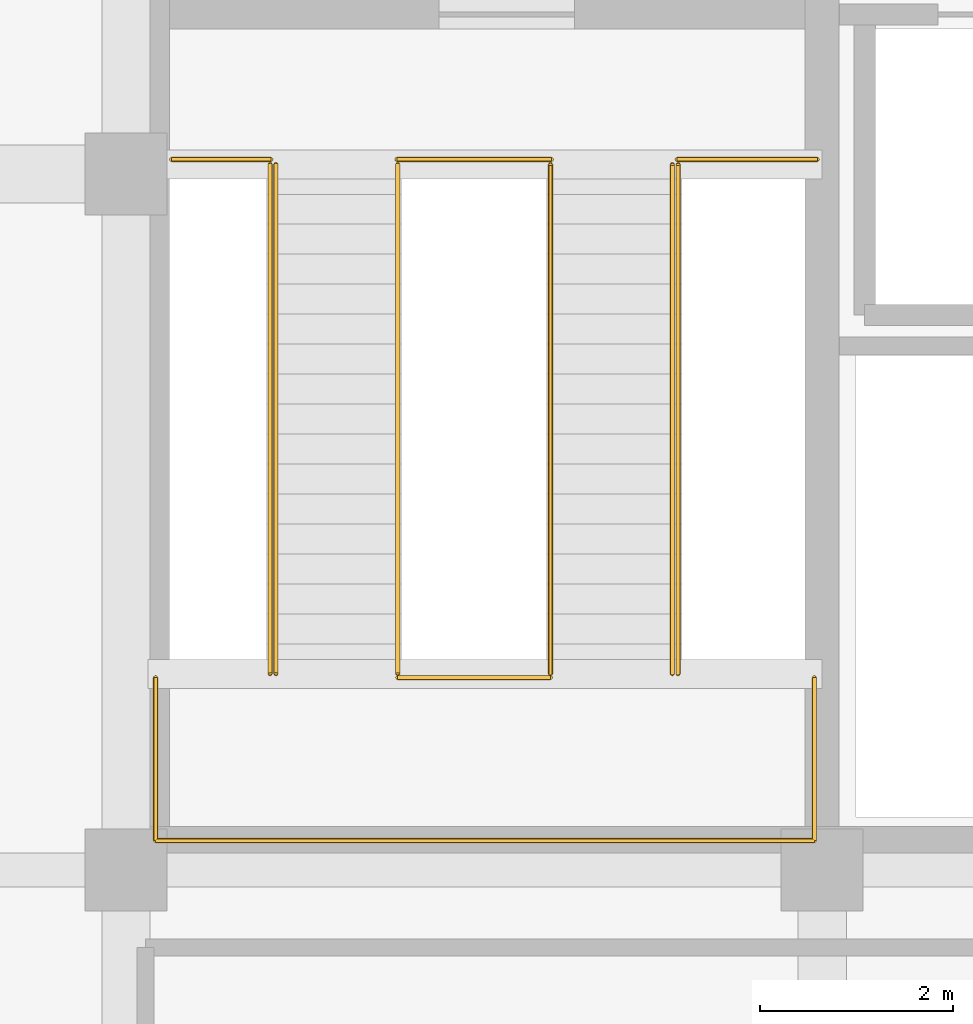
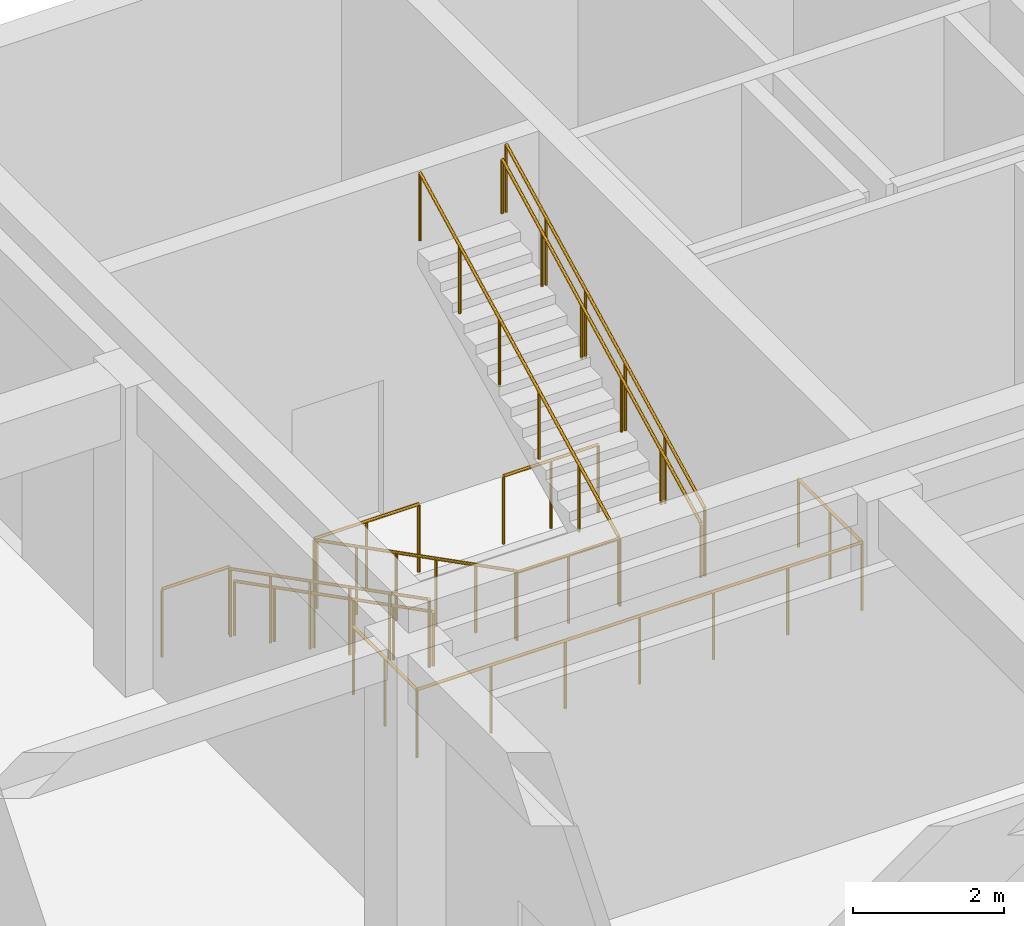
# One storey, part 13 of 15: 11 railings.
"""IFC4 building model written with IfcOpenShell, lengths in metres."""

from ifc_helpers import new_model, si_unit, direction, frame, origin, origin_2d, place, context, subcontext, project, spatial, circle, extrude, material, type_object, element, save


model = new_model("IFC4")

# Units and contexts
model_context = context("Model", 3, precision=1e-05, world=origin(), true_north=direction((0.0, 1.0)))
body_context = subcontext(model_context, "Body", "Model", "MODEL_VIEW")
ifc_project = project(units=[si_unit("LENGTHUNIT", "METRE"), si_unit("AREAUNIT", "SQUARE_METRE"), si_unit("VOLUMEUNIT", "CUBIC_METRE"), si_unit("PLANEANGLEUNIT", "RADIAN"), si_unit("MASSUNIT", "GRAM", prefix="KILO")], contexts=[model_context])

# Site, building, storey
site_placement = place(None, origin())
site = spatial("IfcSite", under=ifc_project, at=site_placement, CompositionType="ELEMENT")
building_placement = place(site_placement, origin())
building = spatial("IfcBuilding", under=site, at=building_placement, Name="Leyfeld Transit Interchange", CompositionType="ELEMENT")
storey_placement = place(building_placement, frame((0.0, 0.0, -5.39990234375)))
storey = spatial("IfcBuildingStorey", under=building, at=storey_placement, Name="B01", CompositionType="ELEMENT", Elevation=-5.39990234375)

# Railings
ifc_material = material(Name="Stainless steel EN 1.4404", Category="steel")
railing_type_1 = type_object("IfcRailingType", Name="RL-STR-GRD-1100", PredefinedType="GUARDRAIL", material=ifc_material)
railing_1_placement = place(storey_placement, frame((7.669921875, 100.949951171875, 0.0)))
element("IfcRailing", 1, at=railing_1_placement, inside=storey, type_object=railing_type_1, Name="Stair ST-01 Landing Guard FLW B01", PredefinedType="GUARDRAIL", context=body_context, shape_type="SweptSolid", body=[
    extrude(circle(Radius=0.02392578125, at=origin_2d()), frame((0.0, 0.0, 1.09619140625), z_axis=(1.0, 0.0, 0.0), x_axis=(0.0, 1.0, 0.0)), (0.0, 0.0, 1.0), 1.030029296875),
    extrude(circle(Radius=0.02099609375, at=origin_2d()), origin(), (0.0, 0.0, 1.0), 1.072021484375),
    extrude(circle(Radius=0.02099609375, at=origin_2d()), frame((1.030029296875, 0.0, 0.0)), (0.0, 0.0, 1.0), 1.072021484375),
])
railing_2_placement = place(storey_placement, frame((10.0, 100.949951171875, 0.0)))
element("IfcRailing", 2, at=railing_2_placement, inside=storey, type_object=railing_type_1, Name="Stair ST-01 Landing Guard EYE B01", PredefinedType="GUARDRAIL", context=body_context, shape_type="SweptSolid", body=[
    extrude(circle(Radius=0.02392578125, at=origin_2d()), frame((0.0, 0.0, 1.09619140625), z_axis=(1.0, 0.0, 0.0), x_axis=(0.0, 1.0, 0.0)), (0.0, 0.0, 1.0), 1.60009765625),
    extrude(circle(Radius=0.02099609375, at=origin_2d()), origin(), (0.0, 0.0, 1.0), 1.072021484375),
    extrude(circle(Radius=0.02099609375, at=origin_2d()), frame((0.800048828125, 0.0, 0.0)), (0.0, 0.0, 1.0), 1.072021484375),
    extrude(circle(Radius=0.02099609375, at=origin_2d()), frame((1.60009765625, 0.0, 0.0)), (0.0, 0.0, 1.0), 1.072021484375),
])
railing_3_placement = place(storey_placement, frame((12.89990234375, 100.949951171875, 0.0)))
element("IfcRailing", 3, at=railing_3_placement, inside=storey, type_object=railing_type_1, Name="Stair ST-01 Landing Guard FLE B01", PredefinedType="GUARDRAIL", context=body_context, shape_type="SweptSolid", body=[
    extrude(circle(Radius=0.02392578125, at=origin_2d()), frame((0.0, 0.0, 1.09619140625), z_axis=(1.0, 0.0, 0.0), x_axis=(0.0, 1.0, 0.0)), (0.0, 0.0, 1.0), 1.4501953125),
    extrude(circle(Radius=0.02099609375, at=origin_2d()), origin(), (0.0, 0.0, 1.0), 1.072021484375),
    extrude(circle(Radius=0.02099609375, at=origin_2d()), frame((0.72509765625, 0.0, 0.0)), (0.0, 0.0, 1.0), 1.072021484375),
    extrude(circle(Radius=0.02099609375, at=origin_2d()), frame((1.4501953125, 0.0, 0.0)), (0.0, 0.0, 1.0), 1.072021484375),
])
railing_4_placement = place(storey_placement, frame((10.010009765625, 95.590087890625, 2.699951171875)))
element("IfcRailing", 4, at=railing_4_placement, inside=storey, type_object=railing_type_1, Name="Stair ST-01 B01 Half-Landing Inner Guard", PredefinedType="GUARDRAIL", context=body_context, shape_type="SweptSolid", body=[
    extrude(circle(Radius=0.02392578125, at=origin_2d()), frame((0.0, 0.0, 1.09619140625), z_axis=(1.0, 0.0, 0.0), x_axis=(0.0, 1.0, 0.0)), (0.0, 0.0, 1.0), 1.580078125),
    extrude(circle(Radius=0.02099609375, at=origin_2d()), origin(), (0.0, 0.0, 1.0), 1.072021484375),
    extrude(circle(Radius=0.02099609375, at=origin_2d()), frame((0.7900390625, 0.0, 0.0)), (0.0, 0.0, 1.0), 1.072021484375),
    extrude(circle(Radius=0.02099609375, at=origin_2d()), frame((1.580078125, 0.0, 0.0)), (0.0, 0.0, 1.0), 1.072021484375),
])
railing_5_placement = place(storey_placement, frame((7.5048828125, 95.590087890625, 2.699951171875)))
element("IfcRailing", 5, at=railing_5_placement, inside=storey, type_object=railing_type_1, Name="Stair ST-01 B01 Half-Landing Perimeter Guard", PredefinedType="GUARDRAIL", context=body_context, shape_type="SweptSolid", body=[
    extrude(circle(Radius=0.02392578125, at=origin_2d()), frame((0.0, 0.0, 1.09619140625), z_axis=(0.0, -1.0, 0.0), x_axis=(1.0, 0.0, 0.0)), (0.0, 0.0, 1.0), 1.68505859375),
    extrude(circle(Radius=0.02392578125, at=origin_2d()), frame((0.0, -1.68505859375, 1.09619140625), z_axis=(1.0, 0.0, 0.0), x_axis=(0.0, 1.0, 0.0)), (0.0, 0.0, 1.0), 6.815185546875),
    extrude(circle(Radius=0.02392578125, at=origin_2d()), frame((6.815185546875, -1.68505859375, 1.09619140625), z_axis=(0.0, 1.0, 0.0), x_axis=(-1.0, 0.0, 0.0)), (0.0, 0.0, 1.0), 1.68505859375),
    extrude(circle(Radius=0.02099609375, at=origin_2d()), origin(), (0.0, 0.0, 1.0), 1.072021484375),
    extrude(circle(Radius=0.02099609375, at=origin_2d()), frame((0.0, -0.842529296875, 0.0)), (0.0, 0.0, 1.0), 1.072021484375),
    extrude(circle(Radius=0.02099609375, at=origin_2d()), frame((0.0, -1.68505859375, 0.0)), (0.0, 0.0, 1.0), 1.072021484375),
    extrude(circle(Radius=0.02099609375, at=origin_2d()), frame((1.1357421875, -1.68505859375, 0.0)), (0.0, 0.0, 1.0), 1.072021484375),
    extrude(circle(Radius=0.02099609375, at=origin_2d()), frame((2.271728515625, -1.68505859375, 0.0)), (0.0, 0.0, 1.0), 1.072021484375),
    extrude(circle(Radius=0.02099609375, at=origin_2d()), frame((3.40771484375, -1.68505859375, 0.0)), (0.0, 0.0, 1.0), 1.072021484375),
    extrude(circle(Radius=0.02099609375, at=origin_2d()), frame((4.54345703125, -1.68505859375, 0.0)), (0.0, 0.0, 1.0), 1.072021484375),
    extrude(circle(Radius=0.02099609375, at=origin_2d()), frame((5.67919921875, -1.68505859375, 0.0)), (0.0, 0.0, 1.0), 1.072021484375),
    extrude(circle(Radius=0.02099609375, at=origin_2d()), frame((6.815185546875, -1.68505859375, 0.0)), (0.0, 0.0, 1.0), 1.072021484375),
    extrude(circle(Radius=0.02099609375, at=origin_2d()), frame((6.815185546875, -0.842529296875, 0.0)), (0.0, 0.0, 1.0), 1.072021484375),
    extrude(circle(Radius=0.02099609375, at=origin_2d()), frame((6.815185546875, 0.0, 0.0)), (0.0, 0.0, 1.0), 1.072021484375),
])
for number, where, name in (
    (6, (10.010009765625, 100.89990234375, 0.0), "Stair ST-01 B01 F1 Inner Guard"),
    (7, (8.68994140625, 100.89990234375, 0.0), "Stair ST-01 B01 F1 Outer Guard"),
):
    element("IfcRailing", number, at=place(storey_placement, frame(where)), inside=storey, type_object=railing_type_1, Name=name, PredefinedType="GUARDRAIL", context=body_context, shape_type="SweptSolid", body=[
        extrude(circle(Radius=0.02392578125, at=origin_2d()), frame((0.0, 0.0, 1.09619140625), z_axis=(0.0, -0.889997253095, 0.455965886314), x_axis=(1.0, 0.0, 0.0)), (0.0, 0.0, 1.0), 5.92138671875),
        extrude(circle(Radius=0.02099609375, at=origin_2d()), origin(), (0.0, 0.0, 1.0), 1.072021484375),
        extrude(circle(Radius=0.02099609375, at=origin_2d()), frame((0.0, -1.053955078125, 0.5400390625)), (0.0, 0.0, 1.0), 1.072021484375),
        extrude(circle(Radius=0.02099609375, at=origin_2d()), frame((0.0, -2.10791015625, 1.080078125)), (0.0, 0.0, 1.0), 1.072021484375),
        extrude(circle(Radius=0.02099609375, at=origin_2d()), frame((0.0, -3.162109375, 1.619873046875)), (0.0, 0.0, 1.0), 1.072021484375),
        extrude(circle(Radius=0.02099609375, at=origin_2d()), frame((0.0, -4.216064453125, 2.159912109375)), (0.0, 0.0, 1.0), 1.072021484375),
        extrude(circle(Radius=0.02099609375, at=origin_2d()), frame((0.0, -5.27001953125, 2.699951171875)), (0.0, 0.0, 1.0), 1.072021484375),
    ])
for number, where, name in (
    (8, (11.590087890625, 95.6298828125, 2.699951171875), "Stair ST-01 B01 F2 Inner Guard"),
    (9, (12.909912109375, 95.6298828125, 2.699951171875), "Stair ST-01 B01 F2 Outer Guard"),
):
    element("IfcRailing", number, at=place(storey_placement, frame(where)), inside=storey, type_object=railing_type_1, Name=name, PredefinedType="GUARDRAIL", context=body_context, shape_type="SweptSolid", body=[
        extrude(circle(Radius=0.02392578125, at=origin_2d()), frame((0.0, 0.0, 1.09619140625), z_axis=(0.0, 0.889997253095, 0.455965886314), x_axis=(-1.0, 0.0, 0.0)), (0.0, 0.0, 1.0), 5.92138671875),
        extrude(circle(Radius=0.02099609375, at=origin_2d()), origin(), (0.0, 0.0, 1.0), 1.072021484375),
        extrude(circle(Radius=0.02099609375, at=origin_2d()), frame((0.0, 1.053955078125, 0.5400390625)), (0.0, 0.0, 1.0), 1.072021484375),
        extrude(circle(Radius=0.02099609375, at=origin_2d()), frame((0.0, 2.10791015625, 1.080078125)), (0.0, 0.0, 1.0), 1.072021484375),
        extrude(circle(Radius=0.02099609375, at=origin_2d()), frame((0.0, 3.162109375, 1.619873046875)), (0.0, 0.0, 1.0), 1.072021484375),
        extrude(circle(Radius=0.02099609375, at=origin_2d()), frame((0.0, 4.216064453125, 2.159912109375)), (0.0, 0.0, 1.0), 1.072021484375),
        extrude(circle(Radius=0.02099609375, at=origin_2d()), frame((0.0, 5.27001953125, 2.699951171875)), (0.0, 0.0, 1.0), 1.072021484375),
    ])
railing_type_2 = type_object("IfcRailingType", Name="RL-STR-HND-900", PredefinedType="HANDRAIL", material=ifc_material)
railing_6_placement = place(storey_placement, frame((8.75, 100.89990234375, 0.0)))
element("IfcRailing", 10, at=railing_6_placement, inside=storey, type_object=railing_type_2, Name="Stair ST-01 B01 F1 Handrail", PredefinedType="HANDRAIL", context=body_context, shape_type="SweptSolid", body=[
    extrude(circle(Radius=0.02392578125, at=origin_2d()), frame((0.0, 0.0, 0.8759765625), z_axis=(0.0, -0.889997253095, 0.455965886314), x_axis=(1.0, 0.0, 0.0)), (0.0, 0.0, 1.0), 5.92138671875),
    extrude(circle(Radius=0.02099609375, at=origin_2d()), origin(), (0.0, 0.0, 1.0), 0.851806640625),
    extrude(circle(Radius=0.02099609375, at=origin_2d()), frame((0.0, -1.053955078125, 0.5400390625)), (0.0, 0.0, 1.0), 0.851806640625),
    extrude(circle(Radius=0.02099609375, at=origin_2d()), frame((0.0, -2.10791015625, 1.080078125)), (0.0, 0.0, 1.0), 0.851806640625),
    extrude(circle(Radius=0.02099609375, at=origin_2d()), frame((0.0, -3.162109375, 1.619873046875)), (0.0, 0.0, 1.0), 0.851806640625),
    extrude(circle(Radius=0.02099609375, at=origin_2d()), frame((0.0, -4.216064453125, 2.159912109375)), (0.0, 0.0, 1.0), 0.851806640625),
    extrude(circle(Radius=0.02099609375, at=origin_2d()), frame((0.0, -5.27001953125, 2.699951171875)), (0.0, 0.0, 1.0), 0.851806640625),
])
railing_7_placement = place(storey_placement, frame((12.85009765625, 95.6298828125, 2.699951171875)))
element("IfcRailing", 11, at=railing_7_placement, inside=storey, type_object=railing_type_2, Name="Stair ST-01 B01 F2 Handrail", PredefinedType="HANDRAIL", context=body_context, shape_type="SweptSolid", body=[
    extrude(circle(Radius=0.02392578125, at=origin_2d()), frame((0.0, 0.0, 0.8759765625), z_axis=(0.0, 0.889997253095, 0.455965886314), x_axis=(-1.0, 0.0, 0.0)), (0.0, 0.0, 1.0), 5.92138671875),
    extrude(circle(Radius=0.02099609375, at=origin_2d()), origin(), (0.0, 0.0, 1.0), 0.851806640625),
    extrude(circle(Radius=0.02099609375, at=origin_2d()), frame((0.0, 1.053955078125, 0.5400390625)), (0.0, 0.0, 1.0), 0.851806640625),
    extrude(circle(Radius=0.02099609375, at=origin_2d()), frame((0.0, 2.10791015625, 1.080078125)), (0.0, 0.0, 1.0), 0.851806640625),
    extrude(circle(Radius=0.02099609375, at=origin_2d()), frame((0.0, 3.162109375, 1.619873046875)), (0.0, 0.0, 1.0), 0.851806640625),
    extrude(circle(Radius=0.02099609375, at=origin_2d()), frame((0.0, 4.216064453125, 2.159912109375)), (0.0, 0.0, 1.0), 0.851806640625),
    extrude(circle(Radius=0.02099609375, at=origin_2d()), frame((0.0, 5.27001953125, 2.699951171875)), (0.0, 0.0, 1.0), 0.851806640625),
])

save(model, "model.ifc")
